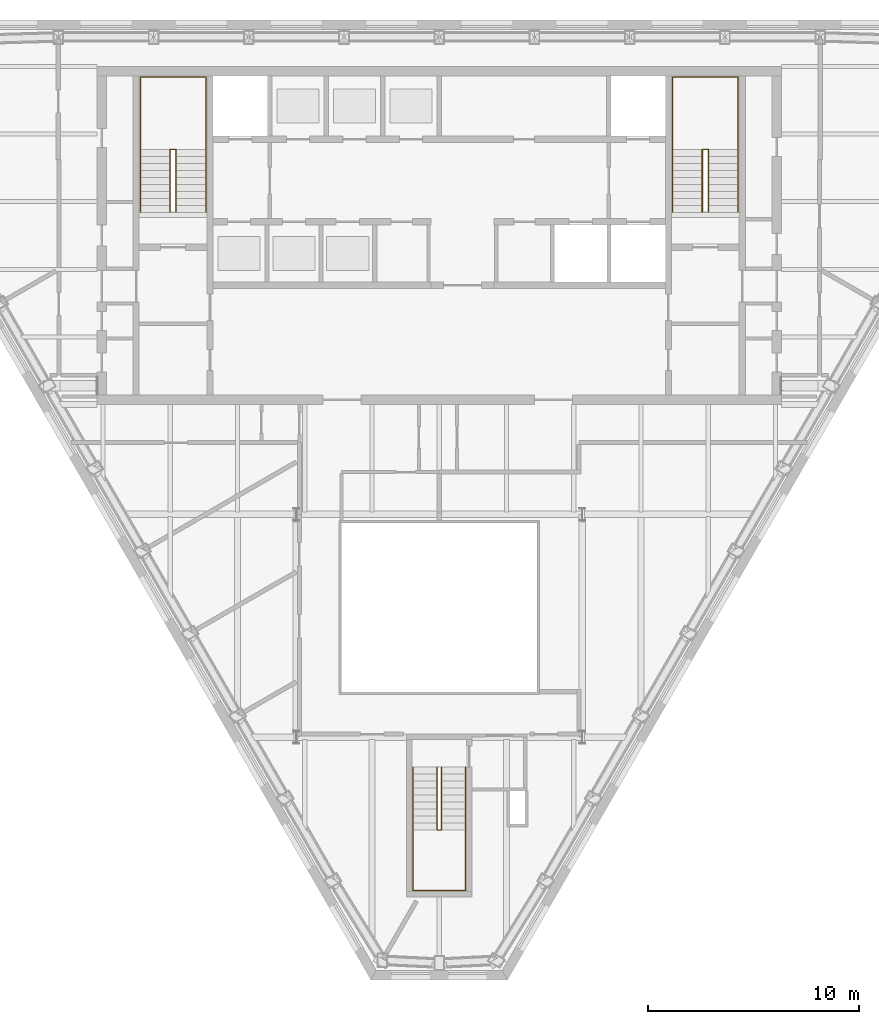
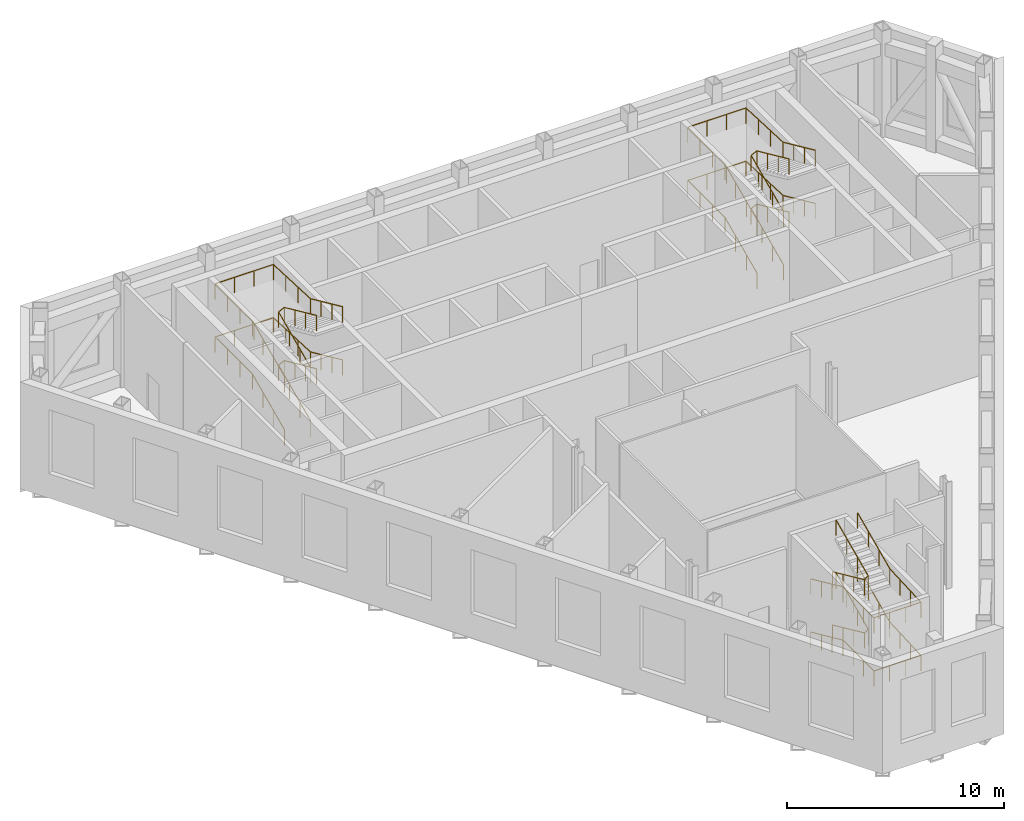
# One storey, part 13 of 14: 12 railings.
"""IFC4 building model written with IfcOpenShell, lengths in metres."""

from ifc_helpers import new_model, si_unit, direction, frame, origin, origin_2d, place, context, subcontext, project, spatial, circle, extrude, material, type_object, element, save


model = new_model("IFC4")

# Units and contexts
model_context = context("Model", 3, precision=1e-05, world=origin(), true_north=direction((0.0, 1.0)))
body_context = subcontext(model_context, "Body", "Model", "MODEL_VIEW")
ifc_project = project(units=[si_unit("LENGTHUNIT", "METRE"), si_unit("AREAUNIT", "SQUARE_METRE"), si_unit("VOLUMEUNIT", "CUBIC_METRE"), si_unit("PLANEANGLEUNIT", "RADIAN"), si_unit("MASSUNIT", "GRAM", prefix="KILO")], contexts=[model_context])

# Site, building, storey
site_placement = place(None, origin())
site = spatial("IfcSite", under=ifc_project, at=site_placement, CompositionType="ELEMENT")
building_placement = place(site_placement, origin())
building = spatial("IfcBuilding", under=site, at=building_placement, Name="Njiva Tower", CompositionType="ELEMENT")
storey_placement = place(building_placement, frame((0.0, 0.0, 239.4)))
storey = spatial("IfcBuildingStorey", under=building, at=storey_placement, Name="L54", CompositionType="ELEMENT", Elevation=239.4)

# Railings
ifc_material = material(Name="Stainless steel", Category="steel")
railing_type = type_object("IfcRailingType", Name="RL1 Stair handrail 900", PredefinedType="HANDRAIL", material=ifc_material)
railing_1_placement = place(storey_placement, frame((-14.15, 11.1, 0.15)))
element("IfcRailing", 1, at=railing_1_placement, inside=storey, type_object=railing_type, Name="Stair A handrail", PredefinedType="HANDRAIL", context=body_context, shape_type="SweptSolid", body=[
    extrude(circle(Radius=0.024, at=origin_2d()), frame((0.0, 0.0, 0.876), z_axis=(0.0, 0.910366477463, 0.413802944301), x_axis=(-1.0, 0.0, 0.0)), (0.0, 0.0, 1.0), 3.2624),
    extrude(circle(Radius=0.024, at=origin_2d()), frame((0.0, 2.97, 2.226), z_axis=(0.0, 1.0, 0.0), x_axis=(-1.0, 0.0, 0.0)), (0.0, 0.0, 1.0), 3.43),
    extrude(circle(Radius=0.024, at=origin_2d()), frame((0.0, 6.4, 2.226), z_axis=(1.0, 0.0, 0.0), x_axis=(0.0, 1.0, 0.0)), (0.0, 0.0, 1.0), 3.1),
    extrude(circle(Radius=0.024, at=origin_2d()), frame((3.1, 6.4, 2.226), z_axis=(0.0, -0.999045135171, 0.043690020489), x_axis=(1.0, 0.0, 0.0)), (0.0, 0.0, 1.0), 3.4333),
    extrude(circle(Radius=0.024, at=origin_2d()), frame((3.1, 2.97, 2.376), z_axis=(0.0, -0.910366477463, 0.413802944301), x_axis=(1.0, 0.0, 0.0)), (0.0, 0.0, 1.0), 3.2624),
    extrude(circle(Radius=0.021, at=origin_2d()), origin(), (0.0, 0.0, 1.0), 0.852),
    extrude(circle(Radius=0.021, at=origin_2d()), frame((0.0, 0.99, 0.45)), (0.0, 0.0, 1.0), 0.852),
    extrude(circle(Radius=0.021, at=origin_2d()), frame((0.0, 1.98, 0.9)), (0.0, 0.0, 1.0), 0.852),
    extrude(circle(Radius=0.021, at=origin_2d()), frame((0.0, 2.97, 1.35)), (0.0, 0.0, 1.0), 0.852),
    extrude(circle(Radius=0.021, at=origin_2d()), frame((0.0, 4.1133, 1.35)), (0.0, 0.0, 1.0), 0.852),
    extrude(circle(Radius=0.021, at=origin_2d()), frame((0.0, 5.2567, 1.35)), (0.0, 0.0, 1.0), 0.852),
    extrude(circle(Radius=0.021, at=origin_2d()), frame((0.0, 6.4, 1.35)), (0.0, 0.0, 1.0), 0.852),
    extrude(circle(Radius=0.021, at=origin_2d()), frame((1.0333, 6.4, 1.35)), (0.0, 0.0, 1.0), 0.852),
    extrude(circle(Radius=0.021, at=origin_2d()), frame((2.0667, 6.4, 1.35)), (0.0, 0.0, 1.0), 0.852),
    extrude(circle(Radius=0.021, at=origin_2d()), frame((3.1, 6.4, 1.35)), (0.0, 0.0, 1.0), 0.852),
    extrude(circle(Radius=0.021, at=origin_2d()), frame((3.1, 5.2567, 1.4)), (0.0, 0.0, 1.0), 0.852),
    extrude(circle(Radius=0.021, at=origin_2d()), frame((3.1, 4.1133, 1.45)), (0.0, 0.0, 1.0), 0.852),
    extrude(circle(Radius=0.021, at=origin_2d()), frame((3.1, 2.97, 1.5)), (0.0, 0.0, 1.0), 0.852),
    extrude(circle(Radius=0.021, at=origin_2d()), frame((3.1, 1.98, 1.95)), (0.0, 0.0, 1.0), 0.852),
    extrude(circle(Radius=0.021, at=origin_2d()), frame((3.1, 0.99, 2.4)), (0.0, 0.0, 1.0), 0.852),
    extrude(circle(Radius=0.021, at=origin_2d()), frame((3.1, 0.0, 2.85)), (0.0, 0.0, 1.0), 0.852),
])
railing_2_placement = place(storey_placement, frame((-12.75, 11.1, 0.15)))
element("IfcRailing", 2, at=railing_2_placement, inside=storey, type_object=railing_type, Name="Stair A handrail", PredefinedType="HANDRAIL", context=body_context, shape_type="SweptSolid", body=[
    extrude(circle(Radius=0.024, at=origin_2d()), frame((0.0, 0.0, 0.876), z_axis=(0.0, 0.910366477463, 0.413802944301), x_axis=(-1.0, 0.0, 0.0)), (0.0, 0.0, 1.0), 3.2624),
    extrude(circle(Radius=0.024, at=origin_2d()), frame((0.0, 2.97, 2.226), z_axis=(0.894427191, 0.0, 0.4472135955), x_axis=(0.0, 1.0, 0.0)), (0.0, 0.0, 1.0), 0.3354),
    extrude(circle(Radius=0.024, at=origin_2d()), frame((0.3, 2.97, 2.376), z_axis=(0.0, -0.910366477463, 0.413802944301), x_axis=(1.0, 0.0, 0.0)), (0.0, 0.0, 1.0), 3.2624),
    extrude(circle(Radius=0.021, at=origin_2d()), origin(), (0.0, 0.0, 1.0), 0.852),
    extrude(circle(Radius=0.021, at=origin_2d()), frame((0.0, 0.99, 0.45)), (0.0, 0.0, 1.0), 0.852),
    extrude(circle(Radius=0.021, at=origin_2d()), frame((0.0, 1.98, 0.9)), (0.0, 0.0, 1.0), 0.852),
    extrude(circle(Radius=0.021, at=origin_2d()), frame((0.0, 2.97, 1.35)), (0.0, 0.0, 1.0), 0.852),
    extrude(circle(Radius=0.021, at=origin_2d()), frame((0.3, 2.97, 1.5)), (0.0, 0.0, 1.0), 0.852),
    extrude(circle(Radius=0.021, at=origin_2d()), frame((0.3, 1.98, 1.95)), (0.0, 0.0, 1.0), 0.852),
    extrude(circle(Radius=0.021, at=origin_2d()), frame((0.3, 0.99, 2.4)), (0.0, 0.0, 1.0), 0.852),
    extrude(circle(Radius=0.021, at=origin_2d()), frame((0.3, 0.0, 2.85)), (0.0, 0.0, 1.0), 0.852),
])
railing_3_placement = place(storey_placement, frame((-14.15, 11.1, 3.15)))
element("IfcRailing", 3, at=railing_3_placement, inside=storey, type_object=railing_type, Name="Stair A handrail", PredefinedType="HANDRAIL", context=body_context, shape_type="SweptSolid", body=[
    extrude(circle(Radius=0.024, at=origin_2d()), frame((0.0, 0.0, 0.876), z_axis=(0.0, 0.910366477463, 0.413802944301), x_axis=(-1.0, 0.0, 0.0)), (0.0, 0.0, 1.0), 3.2624),
    extrude(circle(Radius=0.024, at=origin_2d()), frame((0.0, 2.97, 2.226), z_axis=(0.0, 1.0, 0.0), x_axis=(-1.0, 0.0, 0.0)), (0.0, 0.0, 1.0), 3.43),
    extrude(circle(Radius=0.024, at=origin_2d()), frame((0.0, 6.4, 2.226), z_axis=(1.0, 0.0, 0.0), x_axis=(0.0, 1.0, 0.0)), (0.0, 0.0, 1.0), 3.1),
    extrude(circle(Radius=0.024, at=origin_2d()), frame((3.1, 6.4, 2.226), z_axis=(0.0, -0.999045135171, 0.043690020489), x_axis=(1.0, 0.0, 0.0)), (0.0, 0.0, 1.0), 3.4333),
    extrude(circle(Radius=0.024, at=origin_2d()), frame((3.1, 2.97, 2.376), z_axis=(0.0, -0.910366477463, 0.413802944301), x_axis=(1.0, 0.0, 0.0)), (0.0, 0.0, 1.0), 3.2624),
    extrude(circle(Radius=0.021, at=origin_2d()), origin(), (0.0, 0.0, 1.0), 0.852),
    extrude(circle(Radius=0.021, at=origin_2d()), frame((0.0, 0.99, 0.45)), (0.0, 0.0, 1.0), 0.852),
    extrude(circle(Radius=0.021, at=origin_2d()), frame((0.0, 1.98, 0.9)), (0.0, 0.0, 1.0), 0.852),
    extrude(circle(Radius=0.021, at=origin_2d()), frame((0.0, 2.97, 1.35)), (0.0, 0.0, 1.0), 0.852),
    extrude(circle(Radius=0.021, at=origin_2d()), frame((0.0, 4.1133, 1.35)), (0.0, 0.0, 1.0), 0.852),
    extrude(circle(Radius=0.021, at=origin_2d()), frame((0.0, 5.2567, 1.35)), (0.0, 0.0, 1.0), 0.852),
    extrude(circle(Radius=0.021, at=origin_2d()), frame((0.0, 6.4, 1.35)), (0.0, 0.0, 1.0), 0.852),
    extrude(circle(Radius=0.021, at=origin_2d()), frame((1.0333, 6.4, 1.35)), (0.0, 0.0, 1.0), 0.852),
    extrude(circle(Radius=0.021, at=origin_2d()), frame((2.0667, 6.4, 1.35)), (0.0, 0.0, 1.0), 0.852),
    extrude(circle(Radius=0.021, at=origin_2d()), frame((3.1, 6.4, 1.35)), (0.0, 0.0, 1.0), 0.852),
    extrude(circle(Radius=0.021, at=origin_2d()), frame((3.1, 5.2567, 1.4)), (0.0, 0.0, 1.0), 0.852),
    extrude(circle(Radius=0.021, at=origin_2d()), frame((3.1, 4.1133, 1.45)), (0.0, 0.0, 1.0), 0.852),
    extrude(circle(Radius=0.021, at=origin_2d()), frame((3.1, 2.97, 1.5)), (0.0, 0.0, 1.0), 0.852),
    extrude(circle(Radius=0.021, at=origin_2d()), frame((3.1, 1.98, 1.95)), (0.0, 0.0, 1.0), 0.852),
    extrude(circle(Radius=0.021, at=origin_2d()), frame((3.1, 0.99, 2.4)), (0.0, 0.0, 1.0), 0.852),
    extrude(circle(Radius=0.021, at=origin_2d()), frame((3.1, 0.0, 2.85)), (0.0, 0.0, 1.0), 0.852),
])
railing_4_placement = place(storey_placement, frame((-12.75, 11.1, 3.15)))
element("IfcRailing", 4, at=railing_4_placement, inside=storey, type_object=railing_type, Name="Stair A handrail", PredefinedType="HANDRAIL", context=body_context, shape_type="SweptSolid", body=[
    extrude(circle(Radius=0.024, at=origin_2d()), frame((0.0, 0.0, 0.876), z_axis=(0.0, 0.910366477463, 0.413802944301), x_axis=(-1.0, 0.0, 0.0)), (0.0, 0.0, 1.0), 3.2624),
    extrude(circle(Radius=0.024, at=origin_2d()), frame((0.0, 2.97, 2.226), z_axis=(0.894427191, 0.0, 0.4472135955), x_axis=(0.0, 1.0, 0.0)), (0.0, 0.0, 1.0), 0.3354),
    extrude(circle(Radius=0.024, at=origin_2d()), frame((0.3, 2.97, 2.376), z_axis=(0.0, -0.910366477463, 0.413802944301), x_axis=(1.0, 0.0, 0.0)), (0.0, 0.0, 1.0), 3.2624),
    extrude(circle(Radius=0.021, at=origin_2d()), origin(), (0.0, 0.0, 1.0), 0.852),
    extrude(circle(Radius=0.021, at=origin_2d()), frame((0.0, 0.99, 0.45)), (0.0, 0.0, 1.0), 0.852),
    extrude(circle(Radius=0.021, at=origin_2d()), frame((0.0, 1.98, 0.9)), (0.0, 0.0, 1.0), 0.852),
    extrude(circle(Radius=0.021, at=origin_2d()), frame((0.0, 2.97, 1.35)), (0.0, 0.0, 1.0), 0.852),
    extrude(circle(Radius=0.021, at=origin_2d()), frame((0.3, 2.97, 1.5)), (0.0, 0.0, 1.0), 0.852),
    extrude(circle(Radius=0.021, at=origin_2d()), frame((0.3, 1.98, 1.95)), (0.0, 0.0, 1.0), 0.852),
    extrude(circle(Radius=0.021, at=origin_2d()), frame((0.3, 0.99, 2.4)), (0.0, 0.0, 1.0), 0.852),
    extrude(circle(Radius=0.021, at=origin_2d()), frame((0.3, 0.0, 2.85)), (0.0, 0.0, 1.0), 0.852),
])
railing_5_placement = place(storey_placement, frame((11.05, 11.1, 0.15)))
element("IfcRailing", 5, at=railing_5_placement, inside=storey, type_object=railing_type, Name="Stair B handrail", PredefinedType="HANDRAIL", context=body_context, shape_type="SweptSolid", body=[
    extrude(circle(Radius=0.024, at=origin_2d()), frame((0.0, 0.0, 0.876), z_axis=(0.0, 0.910366477463, 0.413802944301), x_axis=(-1.0, 0.0, 0.0)), (0.0, 0.0, 1.0), 3.2624),
    extrude(circle(Radius=0.024, at=origin_2d()), frame((0.0, 2.97, 2.226), z_axis=(0.0, 1.0, 0.0), x_axis=(-1.0, 0.0, 0.0)), (0.0, 0.0, 1.0), 3.43),
    extrude(circle(Radius=0.024, at=origin_2d()), frame((0.0, 6.4, 2.226), z_axis=(1.0, 0.0, 0.0), x_axis=(0.0, 1.0, 0.0)), (0.0, 0.0, 1.0), 3.1),
    extrude(circle(Radius=0.024, at=origin_2d()), frame((3.1, 6.4, 2.226), z_axis=(0.0, -0.999045135171, 0.043690020489), x_axis=(1.0, 0.0, 0.0)), (0.0, 0.0, 1.0), 3.4333),
    extrude(circle(Radius=0.024, at=origin_2d()), frame((3.1, 2.97, 2.376), z_axis=(0.0, -0.910366477463, 0.413802944301), x_axis=(1.0, 0.0, 0.0)), (0.0, 0.0, 1.0), 3.2624),
    extrude(circle(Radius=0.021, at=origin_2d()), origin(), (0.0, 0.0, 1.0), 0.852),
    extrude(circle(Radius=0.021, at=origin_2d()), frame((0.0, 0.99, 0.45)), (0.0, 0.0, 1.0), 0.852),
    extrude(circle(Radius=0.021, at=origin_2d()), frame((0.0, 1.98, 0.9)), (0.0, 0.0, 1.0), 0.852),
    extrude(circle(Radius=0.021, at=origin_2d()), frame((0.0, 2.97, 1.35)), (0.0, 0.0, 1.0), 0.852),
    extrude(circle(Radius=0.021, at=origin_2d()), frame((0.0, 4.1133, 1.35)), (0.0, 0.0, 1.0), 0.852),
    extrude(circle(Radius=0.021, at=origin_2d()), frame((0.0, 5.2567, 1.35)), (0.0, 0.0, 1.0), 0.852),
    extrude(circle(Radius=0.021, at=origin_2d()), frame((0.0, 6.4, 1.35)), (0.0, 0.0, 1.0), 0.852),
    extrude(circle(Radius=0.021, at=origin_2d()), frame((1.0333, 6.4, 1.35)), (0.0, 0.0, 1.0), 0.852),
    extrude(circle(Radius=0.021, at=origin_2d()), frame((2.0667, 6.4, 1.35)), (0.0, 0.0, 1.0), 0.852),
    extrude(circle(Radius=0.021, at=origin_2d()), frame((3.1, 6.4, 1.35)), (0.0, 0.0, 1.0), 0.852),
    extrude(circle(Radius=0.021, at=origin_2d()), frame((3.1, 5.2567, 1.4)), (0.0, 0.0, 1.0), 0.852),
    extrude(circle(Radius=0.021, at=origin_2d()), frame((3.1, 4.1133, 1.45)), (0.0, 0.0, 1.0), 0.852),
    extrude(circle(Radius=0.021, at=origin_2d()), frame((3.1, 2.97, 1.5)), (0.0, 0.0, 1.0), 0.852),
    extrude(circle(Radius=0.021, at=origin_2d()), frame((3.1, 1.98, 1.95)), (0.0, 0.0, 1.0), 0.852),
    extrude(circle(Radius=0.021, at=origin_2d()), frame((3.1, 0.99, 2.4)), (0.0, 0.0, 1.0), 0.852),
    extrude(circle(Radius=0.021, at=origin_2d()), frame((3.1, 0.0, 2.85)), (0.0, 0.0, 1.0), 0.852),
])
railing_6_placement = place(storey_placement, frame((12.45, 11.1, 0.15)))
element("IfcRailing", 6, at=railing_6_placement, inside=storey, type_object=railing_type, Name="Stair B handrail", PredefinedType="HANDRAIL", context=body_context, shape_type="SweptSolid", body=[
    extrude(circle(Radius=0.024, at=origin_2d()), frame((0.0, 0.0, 0.876), z_axis=(0.0, 0.910366477463, 0.413802944301), x_axis=(-1.0, 0.0, 0.0)), (0.0, 0.0, 1.0), 3.2624),
    extrude(circle(Radius=0.024, at=origin_2d()), frame((0.0, 2.97, 2.226), z_axis=(0.894427191, 0.0, 0.4472135955), x_axis=(0.0, 1.0, 0.0)), (0.0, 0.0, 1.0), 0.3354),
    extrude(circle(Radius=0.024, at=origin_2d()), frame((0.3, 2.97, 2.376), z_axis=(0.0, -0.910366477463, 0.413802944301), x_axis=(1.0, 0.0, 0.0)), (0.0, 0.0, 1.0), 3.2624),
    extrude(circle(Radius=0.021, at=origin_2d()), origin(), (0.0, 0.0, 1.0), 0.852),
    extrude(circle(Radius=0.021, at=origin_2d()), frame((0.0, 0.99, 0.45)), (0.0, 0.0, 1.0), 0.852),
    extrude(circle(Radius=0.021, at=origin_2d()), frame((0.0, 1.98, 0.9)), (0.0, 0.0, 1.0), 0.852),
    extrude(circle(Radius=0.021, at=origin_2d()), frame((0.0, 2.97, 1.35)), (0.0, 0.0, 1.0), 0.852),
    extrude(circle(Radius=0.021, at=origin_2d()), frame((0.3, 2.97, 1.5)), (0.0, 0.0, 1.0), 0.852),
    extrude(circle(Radius=0.021, at=origin_2d()), frame((0.3, 1.98, 1.95)), (0.0, 0.0, 1.0), 0.852),
    extrude(circle(Radius=0.021, at=origin_2d()), frame((0.3, 0.99, 2.4)), (0.0, 0.0, 1.0), 0.852),
    extrude(circle(Radius=0.021, at=origin_2d()), frame((0.3, 0.0, 2.85)), (0.0, 0.0, 1.0), 0.852),
])
railing_7_placement = place(storey_placement, frame((11.05, 11.1, 3.15)))
element("IfcRailing", 7, at=railing_7_placement, inside=storey, type_object=railing_type, Name="Stair B handrail", PredefinedType="HANDRAIL", context=body_context, shape_type="SweptSolid", body=[
    extrude(circle(Radius=0.024, at=origin_2d()), frame((0.0, 0.0, 0.876), z_axis=(0.0, 0.910366477463, 0.413802944301), x_axis=(-1.0, 0.0, 0.0)), (0.0, 0.0, 1.0), 3.2624),
    extrude(circle(Radius=0.024, at=origin_2d()), frame((0.0, 2.97, 2.226), z_axis=(0.0, 1.0, 0.0), x_axis=(-1.0, 0.0, 0.0)), (0.0, 0.0, 1.0), 3.43),
    extrude(circle(Radius=0.024, at=origin_2d()), frame((0.0, 6.4, 2.226), z_axis=(1.0, 0.0, 0.0), x_axis=(0.0, 1.0, 0.0)), (0.0, 0.0, 1.0), 3.1),
    extrude(circle(Radius=0.024, at=origin_2d()), frame((3.1, 6.4, 2.226), z_axis=(0.0, -0.999045135171, 0.043690020489), x_axis=(1.0, 0.0, 0.0)), (0.0, 0.0, 1.0), 3.4333),
    extrude(circle(Radius=0.024, at=origin_2d()), frame((3.1, 2.97, 2.376), z_axis=(0.0, -0.910366477463, 0.413802944301), x_axis=(1.0, 0.0, 0.0)), (0.0, 0.0, 1.0), 3.2624),
    extrude(circle(Radius=0.021, at=origin_2d()), origin(), (0.0, 0.0, 1.0), 0.852),
    extrude(circle(Radius=0.021, at=origin_2d()), frame((0.0, 0.99, 0.45)), (0.0, 0.0, 1.0), 0.852),
    extrude(circle(Radius=0.021, at=origin_2d()), frame((0.0, 1.98, 0.9)), (0.0, 0.0, 1.0), 0.852),
    extrude(circle(Radius=0.021, at=origin_2d()), frame((0.0, 2.97, 1.35)), (0.0, 0.0, 1.0), 0.852),
    extrude(circle(Radius=0.021, at=origin_2d()), frame((0.0, 4.1133, 1.35)), (0.0, 0.0, 1.0), 0.852),
    extrude(circle(Radius=0.021, at=origin_2d()), frame((0.0, 5.2567, 1.35)), (0.0, 0.0, 1.0), 0.852),
    extrude(circle(Radius=0.021, at=origin_2d()), frame((0.0, 6.4, 1.35)), (0.0, 0.0, 1.0), 0.852),
    extrude(circle(Radius=0.021, at=origin_2d()), frame((1.0333, 6.4, 1.35)), (0.0, 0.0, 1.0), 0.852),
    extrude(circle(Radius=0.021, at=origin_2d()), frame((2.0667, 6.4, 1.35)), (0.0, 0.0, 1.0), 0.852),
    extrude(circle(Radius=0.021, at=origin_2d()), frame((3.1, 6.4, 1.35)), (0.0, 0.0, 1.0), 0.852),
    extrude(circle(Radius=0.021, at=origin_2d()), frame((3.1, 5.2567, 1.4)), (0.0, 0.0, 1.0), 0.852),
    extrude(circle(Radius=0.021, at=origin_2d()), frame((3.1, 4.1133, 1.45)), (0.0, 0.0, 1.0), 0.852),
    extrude(circle(Radius=0.021, at=origin_2d()), frame((3.1, 2.97, 1.5)), (0.0, 0.0, 1.0), 0.852),
    extrude(circle(Radius=0.021, at=origin_2d()), frame((3.1, 1.98, 1.95)), (0.0, 0.0, 1.0), 0.852),
    extrude(circle(Radius=0.021, at=origin_2d()), frame((3.1, 0.99, 2.4)), (0.0, 0.0, 1.0), 0.852),
    extrude(circle(Radius=0.021, at=origin_2d()), frame((3.1, 0.0, 2.85)), (0.0, 0.0, 1.0), 0.852),
])
railing_8_placement = place(storey_placement, frame((12.45, 11.1, 3.15)))
element("IfcRailing", 8, at=railing_8_placement, inside=storey, type_object=railing_type, Name="Stair B handrail", PredefinedType="HANDRAIL", context=body_context, shape_type="SweptSolid", body=[
    extrude(circle(Radius=0.024, at=origin_2d()), frame((0.0, 0.0, 0.876), z_axis=(0.0, 0.910366477463, 0.413802944301), x_axis=(-1.0, 0.0, 0.0)), (0.0, 0.0, 1.0), 3.2624),
    extrude(circle(Radius=0.024, at=origin_2d()), frame((0.0, 2.97, 2.226), z_axis=(0.894427191, 0.0, 0.4472135955), x_axis=(0.0, 1.0, 0.0)), (0.0, 0.0, 1.0), 0.3354),
    extrude(circle(Radius=0.024, at=origin_2d()), frame((0.3, 2.97, 2.376), z_axis=(0.0, -0.910366477463, 0.413802944301), x_axis=(1.0, 0.0, 0.0)), (0.0, 0.0, 1.0), 3.2624),
    extrude(circle(Radius=0.021, at=origin_2d()), origin(), (0.0, 0.0, 1.0), 0.852),
    extrude(circle(Radius=0.021, at=origin_2d()), frame((0.0, 0.99, 0.45)), (0.0, 0.0, 1.0), 0.852),
    extrude(circle(Radius=0.021, at=origin_2d()), frame((0.0, 1.98, 0.9)), (0.0, 0.0, 1.0), 0.852),
    extrude(circle(Radius=0.021, at=origin_2d()), frame((0.0, 2.97, 1.35)), (0.0, 0.0, 1.0), 0.852),
    extrude(circle(Radius=0.021, at=origin_2d()), frame((0.3, 2.97, 1.5)), (0.0, 0.0, 1.0), 0.852),
    extrude(circle(Radius=0.021, at=origin_2d()), frame((0.3, 1.98, 1.95)), (0.0, 0.0, 1.0), 0.852),
    extrude(circle(Radius=0.021, at=origin_2d()), frame((0.3, 0.99, 2.4)), (0.0, 0.0, 1.0), 0.852),
    extrude(circle(Radius=0.021, at=origin_2d()), frame((0.3, 0.0, 2.85)), (0.0, 0.0, 1.0), 0.852),
])
railing_9_placement = place(storey_placement, frame((-1.25, -15.16, 0.15)))
element("IfcRailing", 9, at=railing_9_placement, inside=storey, type_object=railing_type, Name="Stair C handrail", PredefinedType="HANDRAIL", context=body_context, shape_type="SweptSolid", body=[
    extrude(circle(Radius=0.024, at=origin_2d()), frame((0.0, 0.0, 0.876), z_axis=(0.0, -0.910366477463, 0.413802944301), x_axis=(1.0, 0.0, 0.0)), (0.0, 0.0, 1.0), 3.2624),
    extrude(circle(Radius=0.024, at=origin_2d()), frame((0.0, -2.97, 2.226), z_axis=(0.0, -1.0, 0.0), x_axis=(1.0, 0.0, 0.0)), (0.0, 0.0, 1.0), 2.87),
    extrude(circle(Radius=0.024, at=origin_2d()), frame((0.0, -5.84, 2.226), z_axis=(1.0, 0.0, 0.0), x_axis=(0.0, 1.0, 0.0)), (0.0, 0.0, 1.0), 2.5),
    extrude(circle(Radius=0.024, at=origin_2d()), frame((2.5, -5.84, 2.226), z_axis=(0.0, 0.998636986684, 0.052193570733), x_axis=(-1.0, 0.0, 0.0)), (0.0, 0.0, 1.0), 2.8739),
    extrude(circle(Radius=0.024, at=origin_2d()), frame((2.5, -2.97, 2.376), z_axis=(0.0, 0.910366477463, 0.413802944301), x_axis=(-1.0, 0.0, 0.0)), (0.0, 0.0, 1.0), 3.2624),
    extrude(circle(Radius=0.021, at=origin_2d()), origin(), (0.0, 0.0, 1.0), 0.852),
    extrude(circle(Radius=0.021, at=origin_2d()), frame((0.0, -0.99, 0.45)), (0.0, 0.0, 1.0), 0.852),
    extrude(circle(Radius=0.021, at=origin_2d()), frame((0.0, -1.98, 0.9)), (0.0, 0.0, 1.0), 0.852),
    extrude(circle(Radius=0.021, at=origin_2d()), frame((0.0, -2.97, 1.35)), (0.0, 0.0, 1.0), 0.852),
    extrude(circle(Radius=0.021, at=origin_2d()), frame((0.0, -3.9267, 1.35)), (0.0, 0.0, 1.0), 0.852),
    extrude(circle(Radius=0.021, at=origin_2d()), frame((0.0, -4.8833, 1.35)), (0.0, 0.0, 1.0), 0.852),
    extrude(circle(Radius=0.021, at=origin_2d()), frame((0.0, -5.84, 1.35)), (0.0, 0.0, 1.0), 0.852),
    extrude(circle(Radius=0.021, at=origin_2d()), frame((0.8333, -5.84, 1.35)), (0.0, 0.0, 1.0), 0.852),
    extrude(circle(Radius=0.021, at=origin_2d()), frame((1.6667, -5.84, 1.35)), (0.0, 0.0, 1.0), 0.852),
    extrude(circle(Radius=0.021, at=origin_2d()), frame((2.5, -5.84, 1.35)), (0.0, 0.0, 1.0), 0.852),
    extrude(circle(Radius=0.021, at=origin_2d()), frame((2.5, -4.8833, 1.4)), (0.0, 0.0, 1.0), 0.852),
    extrude(circle(Radius=0.021, at=origin_2d()), frame((2.5, -3.9267, 1.45)), (0.0, 0.0, 1.0), 0.852),
    extrude(circle(Radius=0.021, at=origin_2d()), frame((2.5, -2.97, 1.5)), (0.0, 0.0, 1.0), 0.852),
    extrude(circle(Radius=0.021, at=origin_2d()), frame((2.5, -1.98, 1.95)), (0.0, 0.0, 1.0), 0.852),
    extrude(circle(Radius=0.021, at=origin_2d()), frame((2.5, -0.99, 2.4)), (0.0, 0.0, 1.0), 0.852),
    extrude(circle(Radius=0.021, at=origin_2d()), frame((2.5, 0.0, 2.85)), (0.0, 0.0, 1.0), 0.852),
])
railing_10_placement = place(storey_placement, frame((-0.1, -15.16, 0.15)))
element("IfcRailing", 10, at=railing_10_placement, inside=storey, type_object=railing_type, Name="Stair C handrail", PredefinedType="HANDRAIL", context=body_context, shape_type="SweptSolid", body=[
    extrude(circle(Radius=0.024, at=origin_2d()), frame((0.0, 0.0, 0.876), z_axis=(0.0, -0.910366477463, 0.413802944301), x_axis=(1.0, 0.0, 0.0)), (0.0, 0.0, 1.0), 3.2624),
    extrude(circle(Radius=0.024, at=origin_2d()), frame((0.0, -2.97, 2.226), z_axis=(0.8, 0.0, 0.6), x_axis=(0.0, 1.0, 0.0)), (0.0, 0.0, 1.0), 0.25),
    extrude(circle(Radius=0.024, at=origin_2d()), frame((0.2, -2.97, 2.376), z_axis=(0.0, 0.910366477463, 0.413802944301), x_axis=(-1.0, 0.0, 0.0)), (0.0, 0.0, 1.0), 3.2624),
    extrude(circle(Radius=0.021, at=origin_2d()), origin(), (0.0, 0.0, 1.0), 0.852),
    extrude(circle(Radius=0.021, at=origin_2d()), frame((0.0, -0.99, 0.45)), (0.0, 0.0, 1.0), 0.852),
    extrude(circle(Radius=0.021, at=origin_2d()), frame((0.0, -1.98, 0.9)), (0.0, 0.0, 1.0), 0.852),
    extrude(circle(Radius=0.021, at=origin_2d()), frame((0.0, -2.97, 1.35)), (0.0, 0.0, 1.0), 0.852),
    extrude(circle(Radius=0.021, at=origin_2d()), frame((0.2, -2.97, 1.5)), (0.0, 0.0, 1.0), 0.852),
    extrude(circle(Radius=0.021, at=origin_2d()), frame((0.2, -1.98, 1.95)), (0.0, 0.0, 1.0), 0.852),
    extrude(circle(Radius=0.021, at=origin_2d()), frame((0.2, -0.99, 2.4)), (0.0, 0.0, 1.0), 0.852),
    extrude(circle(Radius=0.021, at=origin_2d()), frame((0.2, 0.0, 2.85)), (0.0, 0.0, 1.0), 0.852),
])
railing_11_placement = place(storey_placement, frame((-1.25, -15.16, 3.15)))
element("IfcRailing", 11, at=railing_11_placement, inside=storey, type_object=railing_type, Name="Stair C handrail", PredefinedType="HANDRAIL", context=body_context, shape_type="SweptSolid", body=[
    extrude(circle(Radius=0.024, at=origin_2d()), frame((0.0, 0.0, 0.876), z_axis=(0.0, -0.910366477463, 0.413802944301), x_axis=(1.0, 0.0, 0.0)), (0.0, 0.0, 1.0), 3.2624),
    extrude(circle(Radius=0.024, at=origin_2d()), frame((0.0, -2.97, 2.226), z_axis=(0.0, -1.0, 0.0), x_axis=(1.0, 0.0, 0.0)), (0.0, 0.0, 1.0), 2.87),
    extrude(circle(Radius=0.024, at=origin_2d()), frame((0.0, -5.84, 2.226), z_axis=(1.0, 0.0, 0.0), x_axis=(0.0, 1.0, 0.0)), (0.0, 0.0, 1.0), 2.5),
    extrude(circle(Radius=0.024, at=origin_2d()), frame((2.5, -5.84, 2.226), z_axis=(0.0, 0.998636986684, 0.052193570733), x_axis=(-1.0, 0.0, 0.0)), (0.0, 0.0, 1.0), 2.8739),
    extrude(circle(Radius=0.024, at=origin_2d()), frame((2.5, -2.97, 2.376), z_axis=(0.0, 0.910366477463, 0.413802944301), x_axis=(-1.0, 0.0, 0.0)), (0.0, 0.0, 1.0), 3.2624),
    extrude(circle(Radius=0.021, at=origin_2d()), origin(), (0.0, 0.0, 1.0), 0.852),
    extrude(circle(Radius=0.021, at=origin_2d()), frame((0.0, -0.99, 0.45)), (0.0, 0.0, 1.0), 0.852),
    extrude(circle(Radius=0.021, at=origin_2d()), frame((0.0, -1.98, 0.9)), (0.0, 0.0, 1.0), 0.852),
    extrude(circle(Radius=0.021, at=origin_2d()), frame((0.0, -2.97, 1.35)), (0.0, 0.0, 1.0), 0.852),
    extrude(circle(Radius=0.021, at=origin_2d()), frame((0.0, -3.9267, 1.35)), (0.0, 0.0, 1.0), 0.852),
    extrude(circle(Radius=0.021, at=origin_2d()), frame((0.0, -4.8833, 1.35)), (0.0, 0.0, 1.0), 0.852),
    extrude(circle(Radius=0.021, at=origin_2d()), frame((0.0, -5.84, 1.35)), (0.0, 0.0, 1.0), 0.852),
    extrude(circle(Radius=0.021, at=origin_2d()), frame((0.8333, -5.84, 1.35)), (0.0, 0.0, 1.0), 0.852),
    extrude(circle(Radius=0.021, at=origin_2d()), frame((1.6667, -5.84, 1.35)), (0.0, 0.0, 1.0), 0.852),
    extrude(circle(Radius=0.021, at=origin_2d()), frame((2.5, -5.84, 1.35)), (0.0, 0.0, 1.0), 0.852),
    extrude(circle(Radius=0.021, at=origin_2d()), frame((2.5, -4.8833, 1.4)), (0.0, 0.0, 1.0), 0.852),
    extrude(circle(Radius=0.021, at=origin_2d()), frame((2.5, -3.9267, 1.45)), (0.0, 0.0, 1.0), 0.852),
    extrude(circle(Radius=0.021, at=origin_2d()), frame((2.5, -2.97, 1.5)), (0.0, 0.0, 1.0), 0.852),
    extrude(circle(Radius=0.021, at=origin_2d()), frame((2.5, -1.98, 1.95)), (0.0, 0.0, 1.0), 0.852),
    extrude(circle(Radius=0.021, at=origin_2d()), frame((2.5, -0.99, 2.4)), (0.0, 0.0, 1.0), 0.852),
    extrude(circle(Radius=0.021, at=origin_2d()), frame((2.5, 0.0, 2.85)), (0.0, 0.0, 1.0), 0.852),
])
railing_12_placement = place(storey_placement, frame((-0.1, -15.16, 3.15)))
element("IfcRailing", 12, at=railing_12_placement, inside=storey, type_object=railing_type, Name="Stair C handrail", PredefinedType="HANDRAIL", context=body_context, shape_type="SweptSolid", body=[
    extrude(circle(Radius=0.024, at=origin_2d()), frame((0.0, 0.0, 0.876), z_axis=(0.0, -0.910366477463, 0.413802944301), x_axis=(1.0, 0.0, 0.0)), (0.0, 0.0, 1.0), 3.2624),
    extrude(circle(Radius=0.024, at=origin_2d()), frame((0.0, -2.97, 2.226), z_axis=(0.8, 0.0, 0.6), x_axis=(0.0, 1.0, 0.0)), (0.0, 0.0, 1.0), 0.25),
    extrude(circle(Radius=0.024, at=origin_2d()), frame((0.2, -2.97, 2.376), z_axis=(0.0, 0.910366477463, 0.413802944301), x_axis=(-1.0, 0.0, 0.0)), (0.0, 0.0, 1.0), 3.2624),
    extrude(circle(Radius=0.021, at=origin_2d()), origin(), (0.0, 0.0, 1.0), 0.852),
    extrude(circle(Radius=0.021, at=origin_2d()), frame((0.0, -0.99, 0.45)), (0.0, 0.0, 1.0), 0.852),
    extrude(circle(Radius=0.021, at=origin_2d()), frame((0.0, -1.98, 0.9)), (0.0, 0.0, 1.0), 0.852),
    extrude(circle(Radius=0.021, at=origin_2d()), frame((0.0, -2.97, 1.35)), (0.0, 0.0, 1.0), 0.852),
    extrude(circle(Radius=0.021, at=origin_2d()), frame((0.2, -2.97, 1.5)), (0.0, 0.0, 1.0), 0.852),
    extrude(circle(Radius=0.021, at=origin_2d()), frame((0.2, -1.98, 1.95)), (0.0, 0.0, 1.0), 0.852),
    extrude(circle(Radius=0.021, at=origin_2d()), frame((0.2, -0.99, 2.4)), (0.0, 0.0, 1.0), 0.852),
    extrude(circle(Radius=0.021, at=origin_2d()), frame((0.2, 0.0, 2.85)), (0.0, 0.0, 1.0), 0.852),
])

save(model, "model.ifc")
